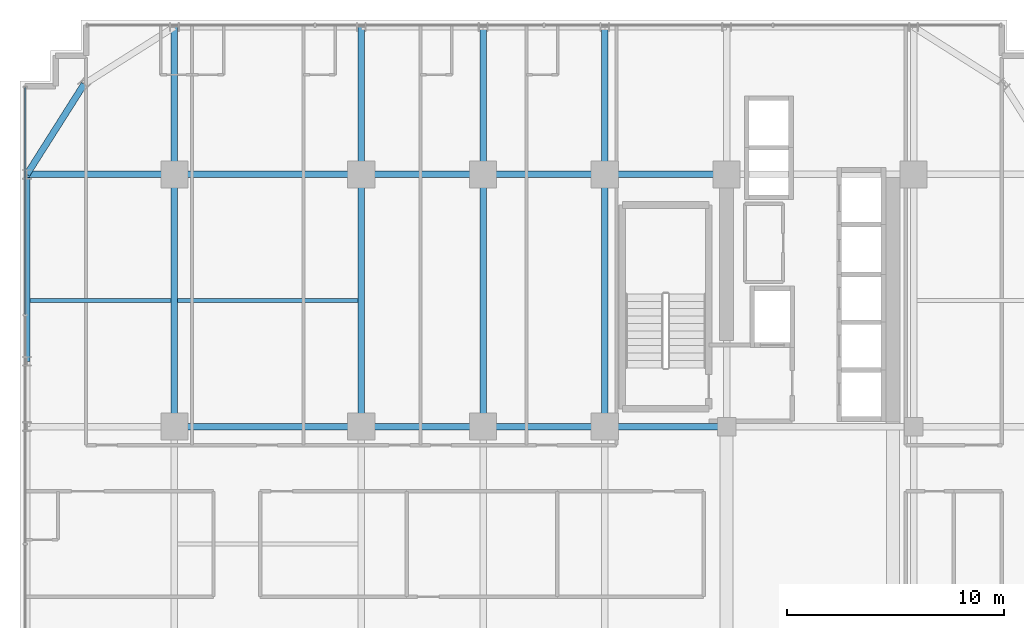
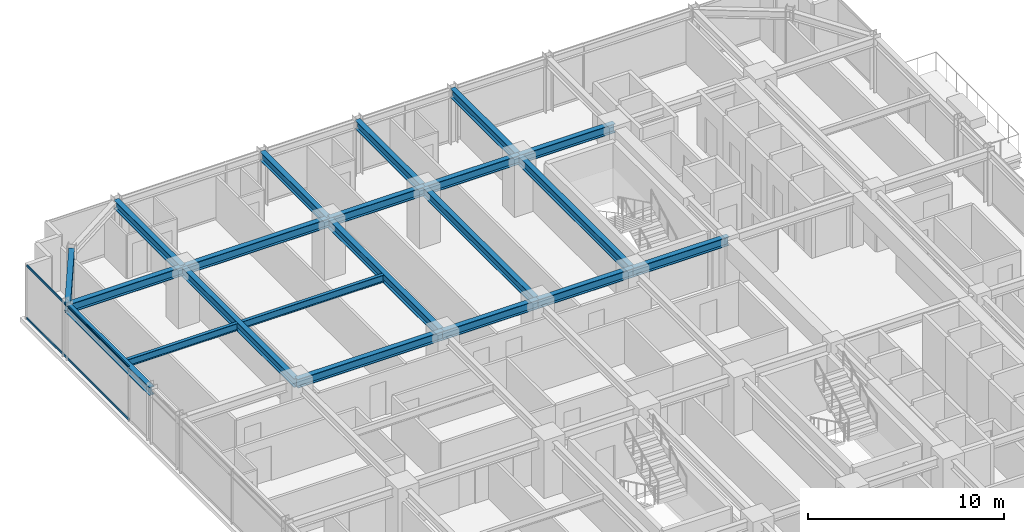
# One storey, part 17 of 32: 21 beams, 2 members, 1 element without a shape of its own.
"""IFC4 building model written with IfcOpenShell, lengths in metres."""

from ifc_helpers import new_model, si_unit, direction, frame, origin, origin_2d, place, context, subcontext, project, spatial, hollow_rectangle, i_section, extrude, source, transform, mapped, material, material_profile, profile_set, type_object, element, aggregate, save


model = new_model("IFC4")

# Units and contexts
model_context = context("Model", 3, precision=1e-05, world=origin(), true_north=direction((0.0, 1.0)))
body_context = subcontext(model_context, "Body", "Model", "MODEL_VIEW")
ifc_project = project(units=[si_unit("LENGTHUNIT", "METRE"), si_unit("AREAUNIT", "SQUARE_METRE"), si_unit("VOLUMEUNIT", "CUBIC_METRE"), si_unit("PLANEANGLEUNIT", "RADIAN"), si_unit("MASSUNIT", "GRAM", prefix="KILO")], contexts=[model_context])

# Site, building, storey
site_placement = place(None, origin())
site = spatial("IfcSite", under=ifc_project, at=site_placement, CompositionType="ELEMENT")
building_placement = place(site_placement, origin())
building = spatial("IfcBuilding", under=site, at=building_placement, Name="Nahalor Promenade Grand Hotel", CompositionType="ELEMENT")
storey_placement = place(building_placement, frame((0.0, 0.0, 102.89990234375)))
storey = spatial("IfcBuildingStorey", under=building, at=storey_placement, Name="L25", CompositionType="ELEMENT", Elevation=102.89990234375)

# Beams
ifc_material_1 = material(Name="Steel S355JR", Category="steel")
ifc_material_profile_1 = material_profile(ifc_material_1, i_section(OverallWidth=0.3, OverallDepth=0.5, WebThickness=0.0145, FlangeThickness=0.028, at=origin_2d()), Name="HEB 500")
ifc_profile_set_1 = profile_set([ifc_material_profile_1], Name="Steel S355JR")
beam_type_1 = type_object("IfcBeamType", Name="Beam-Spandrel-HEB500", PredefinedType="SPANDREL", material=ifc_profile_set_1)
shared_shape_1 = source(origin(), body_context, "Body", "SweptSolid", [
    extrude(i_section(OverallWidth=0.3, OverallDepth=0.5, WebThickness=0.0145, FlangeThickness=0.028, at=origin_2d()), origin(), (0.0, 0.0, 1.0), 8.60009765625),
])
beam_1_placement = place(storey_placement, frame((-23.780029296875, 8.39990234375, 3.130126953125), z_axis=(0.0, 1.0, 0.0), x_axis=(-1.0, 0.0, 0.0)))
element("IfcBeam", 1, at=beam_1_placement, inside=storey, type_object=beam_type_1, Name="BM-L25-SP-W-4", PredefinedType="SPANDREL", context=body_context, shape_type="MappedRepresentation", body=[
    mapped(shared_shape_1, transform((0.0, 0.0, 0.0), scale=1.0)),
])
shared_shape_2 = source(origin(), body_context, "Body", "SweptSolid", [
    extrude(i_section(OverallWidth=0.3, OverallDepth=0.5, WebThickness=0.0145, FlangeThickness=0.028, at=origin_2d()), origin(), (0.0, 0.0, 1.0), 4.9130859375),
])
beam_2_placement = place(storey_placement, frame((-21.14990234375, 21.14990234375, 3.130126953125), z_axis=(-0.535321591403, -0.844648325505, 0.0), x_axis=(0.844648325505, -0.535321591403, 0.0)))
element("IfcBeam", 2, at=beam_2_placement, inside=storey, type_object=beam_type_1, Name="BM-L25-SPC-NW-2", PredefinedType="SPANDREL", context=body_context, shape_type="MappedRepresentation", body=[
    mapped(shared_shape_2, transform((0.0, 0.0, 0.0), scale=1.0)),
])
ifc_material_profile_2 = material_profile(ifc_material_1, i_section(OverallWidth=0.3, OverallDepth=0.55, WebThickness=0.015, FlangeThickness=0.029, at=origin_2d()), Name="HEB 550")
ifc_profile_set_2 = profile_set([ifc_material_profile_2], Name="Steel S355JR")
beam_type_2 = type_object("IfcBeamType", Name="Beam-Girder-HEB550", PredefinedType="BEAM", material=ifc_profile_set_2)
shared_shape_3 = source(origin(), body_context, "Body", "SweptSolid", [
    extrude(i_section(OverallWidth=0.3, OverallDepth=0.55, WebThickness=0.015, FlangeThickness=0.029, at=origin_2d()), origin(), (0.0, 0.0, 1.0), 6.780029296875),
])
for number, where, z_axis, x_axis, name in (
    (3, (-23.780029296875, 17.0, 3.10498046875), (1.0, 0.0, 0.0), (0.0, 1.0, 0.0), "BM-L25-GX-3-0"),
    (4, (-17.0, 17.0, 3.10498046875), (0.0, 1.0, 0.0), (-1.0, 0.0, 0.0), "BM-L25-GY-0-4"),
    (5, (-8.39990234375, 17.0, 3.10498046875), (0.0, 1.0, 0.0), (-1.0, 0.0, 0.0), "BM-L25-GY-1-4"),
    (6, (-2.800048828125, 17.0, 3.10498046875), (0.0, 1.0, 0.0), (-1.0, 0.0, 0.0), "BM-L25-GY-2-4"),
    (7, (2.800048828125, 17.0, 3.10498046875), (0.0, 1.0, 0.0), (-1.0, 0.0, 0.0), "BM-L25-GY-3-4"),
):
    element("IfcBeam", number, at=place(storey_placement, frame(where, z_axis=z_axis, x_axis=x_axis)), inside=storey, type_object=beam_type_2, Name=name, PredefinedType="BEAM", context=body_context, shape_type="MappedRepresentation", body=[
        mapped(shared_shape_3, transform((0.0, 0.0, 0.0), scale=1.0)),
    ])
shared_shape_4 = source(origin(), body_context, "Body", "SweptSolid", [
    extrude(i_section(OverallWidth=0.3, OverallDepth=0.55, WebThickness=0.015, FlangeThickness=0.029, at=origin_2d()), origin(), (0.0, 0.0, 1.0), 8.60009765625),
])
for number, where, z_axis, x_axis, name in (
    (8, (-17.0, 5.39990234375, 3.10498046875), (1.0, 0.0, 0.0), (0.0, 1.0, 0.0), "BM-L25-GX-2-1"),
    (9, (-17.0, 17.0, 3.10498046875), (1.0, 0.0, 0.0), (0.0, 1.0, 0.0), "BM-L25-GX-3-1"),
):
    element("IfcBeam", number, at=place(storey_placement, frame(where, z_axis=z_axis, x_axis=x_axis)), inside=storey, type_object=beam_type_2, Name=name, PredefinedType="BEAM", context=body_context, shape_type="MappedRepresentation", body=[
        mapped(shared_shape_4, transform((0.0, 0.0, 0.0), scale=1.0)),
    ])
shared_shape_5 = source(origin(), body_context, "Body", "SweptSolid", [
    extrude(i_section(OverallWidth=0.3, OverallDepth=0.55, WebThickness=0.015, FlangeThickness=0.029, at=origin_2d()), origin(), (0.0, 0.0, 1.0), 5.599853515625),
])
for number, where, z_axis, x_axis, name in (
    (10, (-8.39990234375, 5.39990234375, 3.10498046875), (1.0, 0.0, 0.0), (0.0, 1.0, 0.0), "BM-L25-GX-2-2"),
    (11, (2.800048828125, 5.39990234375, 3.10498046875), (1.0, 0.0, 0.0), (0.0, 1.0, 0.0), "BM-L25-GX-2-4"),
    (12, (-8.39990234375, 17.0, 3.10498046875), (1.0, 0.0, 0.0), (0.0, 1.0, 0.0), "BM-L25-GX-3-2"),
    (13, (2.800048828125, 17.0, 3.10498046875), (1.0, 0.0, 0.0), (0.0, 1.0, 0.0), "BM-L25-GX-3-4"),
):
    element("IfcBeam", number, at=place(storey_placement, frame(where, z_axis=z_axis, x_axis=x_axis)), inside=storey, type_object=beam_type_2, Name=name, PredefinedType="BEAM", context=body_context, shape_type="MappedRepresentation", body=[
        mapped(shared_shape_5, transform((0.0, 0.0, 0.0), scale=1.0)),
    ])
shared_shape_6 = source(origin(), body_context, "Body", "SweptSolid", [
    extrude(i_section(OverallWidth=0.3, OverallDepth=0.55, WebThickness=0.015, FlangeThickness=0.029, at=origin_2d()), origin(), (0.0, 0.0, 1.0), 5.60009765625),
])
for number, where, z_axis, x_axis, name in (
    (14, (-2.800048828125, 5.39990234375, 3.10498046875), (1.0, 0.0, 0.0), (0.0, 1.0, 0.0), "BM-L25-GX-2-3"),
    (15, (-2.800048828125, 17.0, 3.10498046875), (1.0, 0.0, 0.0), (0.0, 1.0, 0.0), "BM-L25-GX-3-3"),
):
    element("IfcBeam", number, at=place(storey_placement, frame(where, z_axis=z_axis, x_axis=x_axis)), inside=storey, type_object=beam_type_2, Name=name, PredefinedType="BEAM", context=body_context, shape_type="MappedRepresentation", body=[
        mapped(shared_shape_6, transform((0.0, 0.0, 0.0), scale=1.0)),
    ])
shared_shape_7 = source(origin(), body_context, "Body", "SweptSolid", [
    extrude(i_section(OverallWidth=0.3, OverallDepth=0.55, WebThickness=0.015, FlangeThickness=0.029, at=origin_2d()), origin(), (0.0, 0.0, 1.0), 11.60009765625),
])
for number, where, z_axis, x_axis, name in (
    (16, (-17.0, 5.39990234375, 3.10498046875), (0.0, 1.0, 0.0), (-1.0, 0.0, 0.0), "BM-L25-GY-0-3"),
    (17, (-8.39990234375, 5.39990234375, 3.10498046875), (0.0, 1.0, 0.0), (-1.0, 0.0, 0.0), "BM-L25-GY-1-3"),
    (18, (-2.800048828125, 5.39990234375, 3.10498046875), (0.0, 1.0, 0.0), (-1.0, 0.0, 0.0), "BM-L25-GY-2-3"),
    (19, (2.800048828125, 5.39990234375, 3.10498046875), (0.0, 1.0, 0.0), (-1.0, 0.0, 0.0), "BM-L25-GY-3-3"),
):
    element("IfcBeam", number, at=place(storey_placement, frame(where, z_axis=z_axis, x_axis=x_axis)), inside=storey, type_object=beam_type_2, Name=name, PredefinedType="BEAM", context=body_context, shape_type="MappedRepresentation", body=[
        mapped(shared_shape_7, transform((0.0, 0.0, 0.0), scale=1.0)),
    ])
ifc_material_profile_3 = material_profile(ifc_material_1, i_section(OverallWidth=0.19, OverallDepth=0.45, WebThickness=0.0094, FlangeThickness=0.0146, at=origin_2d()), Name="IPE 450")
ifc_profile_set_3 = profile_set([ifc_material_profile_3], Name="Steel S355JR")
beam_type_3 = type_object("IfcBeamType", Name="Beam-Joist-IPE450", PredefinedType="JOIST", material=ifc_profile_set_3)
shared_shape_8 = source(origin(), body_context, "Body", "SweptSolid", [
    extrude(i_section(OverallWidth=0.19, OverallDepth=0.45, WebThickness=0.0094, FlangeThickness=0.0146, at=origin_2d()), origin(), (0.0, 0.0, 1.0), 6.47998046875),
])
beam_3_placement = place(storey_placement, frame((-23.6298828125, 11.199951171875, 3.155029296875), z_axis=(1.0, 0.0, 0.0), x_axis=(0.0, 1.0, 0.0)))
element("IfcBeam", 20, at=beam_3_placement, inside=storey, type_object=beam_type_3, Name="BM-L25-JSW-1-0", PredefinedType="JOIST", context=body_context, shape_type="MappedRepresentation", body=[
    mapped(shared_shape_8, transform((0.0, 0.0, 0.0), scale=1.0)),
])
shared_shape_9 = source(origin(), body_context, "Body", "SweptSolid", [
    extrude(i_section(OverallWidth=0.19, OverallDepth=0.45, WebThickness=0.0094, FlangeThickness=0.0146, at=origin_2d()), origin(), (0.0, 0.0, 1.0), 8.300048828125),
])
beam_4_placement = place(storey_placement, frame((-16.85009765625, 11.199951171875, 3.155029296875), z_axis=(1.0, 0.0, 0.0), x_axis=(0.0, 1.0, 0.0)))
element("IfcBeam", 21, at=beam_4_placement, inside=storey, type_object=beam_type_3, Name="BM-L25-JSW-1-1", PredefinedType="JOIST", context=body_context, shape_type="MappedRepresentation", body=[
    mapped(shared_shape_9, transform((0.0, 0.0, 0.0), scale=1.0)),
])

# Curtain wall, members
ifc_material_2 = material(Name="Anodised Bronze Aluminium EN AW-6063 T6", Category="aluminium")
curtain_wall_type = type_object("IfcCurtainWallType", Name="CW2 Typical Hotel Flush Bronze Unitised Curtain Wall", PredefinedType="USERDEFINED", material=ifc_material_2)
curtain_wall_placement = place(storey_placement, origin())
curtain_wall = element("IfcCurtainWall", 22, at=curtain_wall_placement, inside=storey, type_object=curtain_wall_type, Name="L25 Curtain Wall CW-L25-W-1", ObjectType="UNITISED_CURTAIN_WALL", PredefinedType="USERDEFINED")
ifc_material_profile_4 = material_profile(ifc_material_2, hollow_rectangle(XDim=0.065, YDim=0.13, WallThickness=0.004, at=origin_2d()), Name="CWT 65x130x4")
ifc_profile_set_4 = profile_set([ifc_material_profile_4], Name="Anodised Bronze Aluminium EN AW-6063 T6")
member_type = type_object("IfcMemberType", Name="CWT2 Typical Bronze Transom 65x130", PredefinedType="USERDEFINED", material=ifc_profile_set_4)
shared_shape_10 = source(origin(), body_context, "Body", "SweptSolid", [
    extrude(hollow_rectangle(XDim=0.065, YDim=0.13, WallThickness=0.004, at=origin_2d()), origin(), (0.0, 0.0, 1.0), 10.4326171875),
])
member_1_placement = place(storey_placement, frame((-23.860107421875, 10.5625, 0.065185546875), z_axis=(0.0, 1.0, 0.0), x_axis=(-1.0, 0.0, 0.0)))
member_1 = element("IfcMember", 23, at=member_1_placement, type_object=member_type, Name="CW-L25-W-1 Transom 3-0", ObjectType="TRANSOM", PredefinedType="USERDEFINED", context=body_context, shape_type="MappedRepresentation", body=[
    mapped(shared_shape_10, transform((0.0, 0.0, 0.0), scale=1.0)),
])
member_2_placement = place(storey_placement, frame((-23.860107421875, 10.5625, 3.315185546875), z_axis=(0.0, 1.0, 0.0), x_axis=(-1.0, 0.0, 0.0)))
member_2 = element("IfcMember", 24, at=member_2_placement, type_object=member_type, Name="CW-L25-W-1 Transom 3-1", ObjectType="TRANSOM", PredefinedType="USERDEFINED", context=body_context, shape_type="MappedRepresentation", body=[
    mapped(shared_shape_10, transform((0.0, 0.0, 0.0), scale=1.0)),
])
aggregate(curtain_wall, [member_1, member_2])

save(model, "model.ifc")
